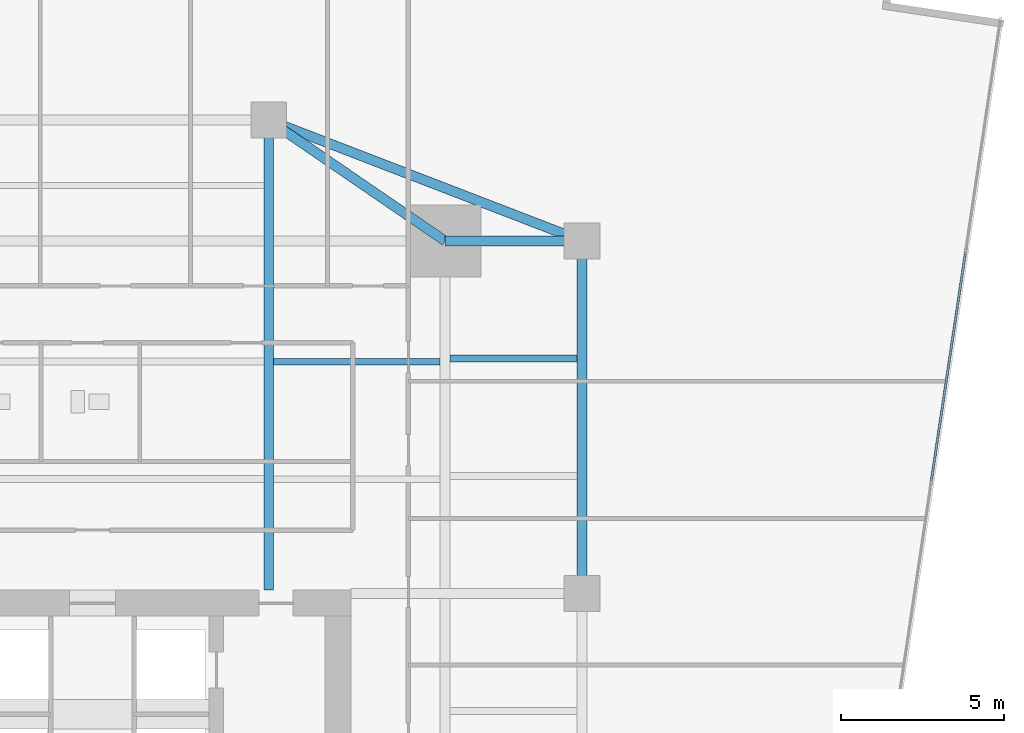
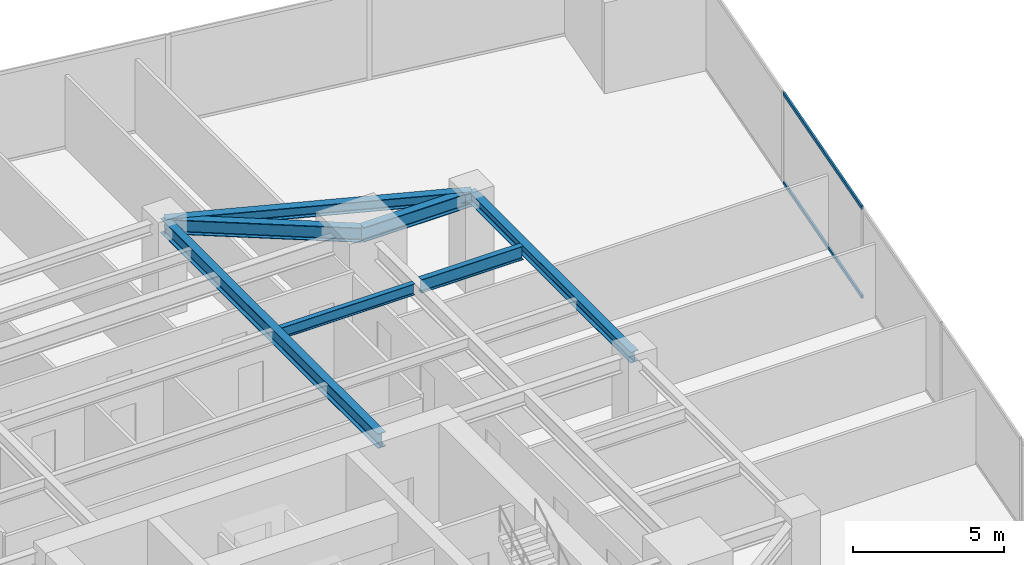
# One storey, part 20 of 29: 7 beams, 2 members, 1 element without a shape of its own.
"""IFC4 building model written with IfcOpenShell, lengths in metres."""

from ifc_helpers import new_model, si_unit, direction, frame, origin, origin_2d, place, context, subcontext, project, spatial, hollow_rectangle, i_section, extrude, source, transform, mapped, material, material_profile, profile_set, type_object, type_shapes, element, aggregate, save


model = new_model("IFC4")

# Units and contexts
model_context = context("Model", 3, precision=1e-05, world=origin(), true_north=direction((0.0, 1.0)))
body_context = subcontext(model_context, "Body", "Model", "MODEL_VIEW")
ifc_project = project(units=[si_unit("LENGTHUNIT", "METRE"), si_unit("AREAUNIT", "SQUARE_METRE"), si_unit("VOLUMEUNIT", "CUBIC_METRE"), si_unit("PLANEANGLEUNIT", "RADIAN"), si_unit("MASSUNIT", "GRAM", prefix="KILO")], contexts=[model_context])

# Site, building, storey
site_placement = place(None, origin())
site = spatial("IfcSite", under=ifc_project, at=site_placement, CompositionType="ELEMENT")
building_placement = place(site_placement, origin())
building = spatial("IfcBuilding", under=site, at=building_placement, Name="Krantzveldt Concourse Tower", CompositionType="ELEMENT")
storey_placement = place(building_placement, frame((0.0, 0.0, 72.39990234375)))
storey = spatial("IfcBuildingStorey", under=building, at=storey_placement, Name="L17", CompositionType="ELEMENT", Elevation=72.39990234375)

# Beams
ifc_material_1 = material(Name="Steel S355JR", Category="steel")
ifc_material_profile_1 = material_profile(ifc_material_1, i_section(OverallWidth=0.300048828125, OverallDepth=0.590087890625, WebThickness=0.012939453125, FlangeThickness=0.02490234375, FilletRadius=0.027099609375, at=origin_2d()), Name="Steel S355JR", Category="steel")
ifc_profile_set_1 = profile_set([ifc_material_profile_1], Name="Steel S355JR - HEA 600")
beam_type_1 = type_object("IfcBeamType", Name="BM-B-HEA600", PredefinedType="BEAM", material=ifc_profile_set_1)
shared_shape_1 = source(origin(), body_context, "Body", "SweptSolid", [
    extrude(i_section(OverallWidth=0.300048828125, OverallDepth=0.590087890625, WebThickness=0.012939453125, FlangeThickness=0.02490234375, FilletRadius=0.027099609375, at=origin_2d()), origin(), (0.0, 0.0, 1.0), 14.39990234375),
])
beam_1_placement = place(storey_placement, frame((41.39990234375, 26.800048828125, 3.375), z_axis=(0.0, 1.0, 0.0), x_axis=(-1.0, 0.0, 0.0)))
element("IfcBeam", 1, at=beam_1_placement, inside=storey, type_object=beam_type_1, Name="L17 Tower Girder BG-CNE", PredefinedType="BEAM", context=body_context, shape_type="MappedRepresentation", body=[
    mapped(shared_shape_1, transform((0.0, 0.0, 0.0), x_axis=(1.0, 0.0, 0.0), y_axis=(0.0, 1.0, 0.0), z_axis=(0.0, 0.0, 1.0), scale=1.0)),
])
ifc_material_profile_2 = material_profile(ifc_material_1, i_section(OverallWidth=0.300048828125, OverallDepth=0.43994140625, WebThickness=0.011474609375, FlangeThickness=0.02099609375, FilletRadius=0.027099609375, at=origin_2d()), Name="Steel S355JR", Category="steel")
ifc_profile_set_2 = profile_set([ifc_material_profile_2], Name="Steel S355JR - HEA 450")
beam_type_2 = type_object("IfcBeamType", Name="BM-SP-HEA450", PredefinedType="SPANDREL", material=ifc_profile_set_2)
shared_shape_2 = source(origin(), body_context, "Body", "SweptSolid", [
    extrude(i_section(OverallWidth=0.300048828125, OverallDepth=0.43994140625, WebThickness=0.011474609375, FlangeThickness=0.02099609375, FilletRadius=0.027099609375, at=origin_2d()), origin(), (0.0, 0.0, 1.0), 10.800048828125),
])
beam_2_placement = place(storey_placement, frame((51.0, 37.5, 3.4501953125), z_axis=(0.0, -1.0, 0.0), x_axis=(1.0, 0.0, 0.0)))
element("IfcBeam", 2, at=beam_2_placement, inside=storey, type_object=beam_type_2, Name="L17 Tower Girder SP-R06", PredefinedType="SPANDREL", context=body_context, shape_type="MappedRepresentation", body=[
    mapped(shared_shape_2, transform((0.0, 0.0, 0.0), x_axis=(1.0, 0.0, 0.0), y_axis=(0.0, 1.0, 0.0), z_axis=(0.0, 0.0, 1.0), scale=1.0)),
])
shared_shape_3 = source(origin(), body_context, "Body", "SweptSolid", [
    extrude(i_section(OverallWidth=0.300048828125, OverallDepth=0.43994140625, WebThickness=0.011474609375, FlangeThickness=0.02099609375, FilletRadius=0.027099609375, at=origin_2d()), origin(), (0.0, 0.0, 1.0), 10.288330078125),
])
type_shapes(beam_type_2, [shared_shape_2, shared_shape_3])
beam_3_placement = place(storey_placement, frame((41.39990234375, 41.199951171875, 3.4501953125), z_axis=(0.933097690408, -0.359622997257, 0.0), x_axis=(0.359622997257, 0.933097690408, 0.0)))
element("IfcBeam", 3, at=beam_3_placement, inside=storey, type_object=beam_type_2, Name="L17 Tower Girder SP-R05", PredefinedType="SPANDREL", context=body_context, shape_type="MappedRepresentation", body=[
    mapped(shared_shape_3, transform((0.0, 0.0, 0.0), x_axis=(1.0, 0.0, 0.0), y_axis=(0.0, 1.0, 0.0), z_axis=(0.0, 0.0, 1.0), scale=1.0)),
])
shared_shape_4 = source(origin(), body_context, "Body", "SweptSolid", [
    extrude(i_section(OverallWidth=0.300048828125, OverallDepth=0.590087890625, WebThickness=0.012939453125, FlangeThickness=0.02490234375, FilletRadius=0.027099609375, at=origin_2d()), origin(), (0.0, 0.0, 1.0), 4.199951171875),
])
beam_4_placement = place(storey_placement, frame((46.800048828125, 37.5, 3.375), z_axis=(1.0, 0.0, 0.0), x_axis=(0.0, 1.0, 0.0)))
element("IfcBeam", 4, at=beam_4_placement, inside=storey, type_object=beam_type_1, Name="L17 Tower Girder BR-RR3", PredefinedType="BEAM", context=body_context, shape_type="MappedRepresentation", body=[
    mapped(shared_shape_4, transform((0.0, 0.0, 0.0), x_axis=(1.0, 0.0, 0.0), y_axis=(0.0, 1.0, 0.0), z_axis=(0.0, 0.0, 1.0), scale=1.0)),
])
shared_shape_5 = source(origin(), body_context, "Body", "SweptSolid", [
    extrude(i_section(OverallWidth=0.300048828125, OverallDepth=0.590087890625, WebThickness=0.012939453125, FlangeThickness=0.02490234375, FilletRadius=0.027099609375, at=origin_2d()), origin(), (0.0, 0.0, 1.0), 6.546142578125),
])
type_shapes(beam_type_1, [shared_shape_1, shared_shape_4, shared_shape_5])
beam_5_placement = place(storey_placement, frame((46.800048828125, 37.5, 3.375), z_axis=(-0.824942999484, 0.565215930068, 0.0), x_axis=(-0.565215930068, -0.824942999484, 0.0)))
element("IfcBeam", 5, at=beam_5_placement, inside=storey, type_object=beam_type_1, Name="L17 Tower Girder BR-RR4", PredefinedType="BEAM", context=body_context, shape_type="MappedRepresentation", body=[
    mapped(shared_shape_5, transform((0.0, 0.0, 0.0), x_axis=(1.0, 0.0, 0.0), y_axis=(0.0, 1.0, 0.0), z_axis=(0.0, 0.0, 1.0), scale=1.0)),
])
ifc_material_profile_3 = material_profile(ifc_material_1, i_section(OverallWidth=0.18994140625, OverallDepth=0.449951171875, WebThickness=0.009521484375, FlangeThickness=0.0146484375, FilletRadius=0.02099609375, at=origin_2d()), Name="Steel S355JR", Category="steel")
ifc_profile_set_3 = profile_set([ifc_material_profile_3], Name="Steel S355JR - IPE 450")
beam_type_3 = type_object("IfcBeamType", Name="BM-J-IPE450", PredefinedType="JOIST", material=ifc_profile_set_3)
shared_shape_6 = source(origin(), body_context, "Body", "SweptSolid", [
    extrude(i_section(OverallWidth=0.18994140625, OverallDepth=0.449951171875, WebThickness=0.009521484375, FlangeThickness=0.0146484375, FilletRadius=0.02099609375, at=origin_2d()), origin(), (0.0, 0.0, 1.0), 5.099853515625),
])
type_shapes(beam_type_3, [shared_shape_6])
beam_6_placement = place(storey_placement, frame((41.550048828125, 33.800048828125, 3.445068359375), z_axis=(1.0, 0.0, 0.0), x_axis=(0.0, 1.0, 0.0)))
element("IfcBeam", 6, at=beam_6_placement, inside=storey, type_object=beam_type_3, Name="L17 Secondary Floor Joist JN-E2", PredefinedType="JOIST", context=body_context, shape_type="MappedRepresentation", body=[
    mapped(shared_shape_6, transform((0.0, 0.0, 0.0), x_axis=(1.0, 0.0, 0.0), y_axis=(0.0, 1.0, 0.0), z_axis=(0.0, 0.0, 1.0), scale=1.0)),
])
ifc_material_profile_4 = material_profile(ifc_material_1, i_section(OverallWidth=0.2099609375, OverallDepth=0.550048828125, WebThickness=0.010986328125, FlangeThickness=0.01708984375, FilletRadius=0.02392578125, at=origin_2d()), Name="Steel S355JR", Category="steel")
ifc_profile_set_4 = profile_set([ifc_material_profile_4], Name="Steel S355JR - IPE 550")
beam_type_4 = type_object("IfcBeamType", Name="BM-J-IPE550", PredefinedType="JOIST", material=ifc_profile_set_4)
shared_shape_7 = source(origin(), body_context, "Body", "SweptSolid", [
    extrude(i_section(OverallWidth=0.2099609375, OverallDepth=0.550048828125, WebThickness=0.010986328125, FlangeThickness=0.01708984375, FilletRadius=0.02392578125, at=origin_2d()), origin(), (0.0, 0.0, 1.0), 3.900146484375),
])
type_shapes(beam_type_4, [shared_shape_7])
beam_7_placement = place(storey_placement, frame((46.949951171875, 33.89990234375, 3.39501953125), z_axis=(1.0, 0.0, 0.0), x_axis=(0.0, 1.0, 0.0)))
element("IfcBeam", 7, at=beam_7_placement, inside=storey, type_object=beam_type_4, Name="L17 Secondary Floor Joist JE-4", PredefinedType="JOIST", context=body_context, shape_type="MappedRepresentation", body=[
    mapped(shared_shape_7, transform((0.0, 0.0, 0.0), x_axis=(1.0, 0.0, 0.0), y_axis=(0.0, 1.0, 0.0), z_axis=(0.0, 0.0, 1.0), scale=1.0)),
])

# Curtain wall, members
ifc_material_2 = material(Name="Anodised aluminium 6063-T6", Category="aluminium")
curtain_wall_type = type_object("IfcCurtainWallType", Name="CW2", PredefinedType="USERDEFINED", material=ifc_material_2)
curtain_wall_placement = place(storey_placement, origin())
curtain_wall = element("IfcCurtainWall", 8, at=curtain_wall_placement, inside=storey, type_object=curtain_wall_type, Name="CW-L17-F07", ObjectType="UNITISED CURTAIN WALL", PredefinedType="USERDEFINED")
ifc_material_profile_5 = material_profile(ifc_material_2, hollow_rectangle(XDim=0.070068359375, YDim=0.139892578125, WallThickness=0.0048828125, at=origin_2d()), Name="Anodised aluminium 6063-T6", Category="aluminium")
ifc_profile_set_5 = profile_set([ifc_material_profile_5], Name="Anodised aluminium 6063-T6 - ALU-TRAN 140x70x5")
member_type = type_object("IfcMemberType", Name="CW-TRN-150", PredefinedType="USERDEFINED", material=ifc_profile_set_5)
shared_shape_8 = source(origin(), body_context, "Body", "SweptSolid", [
    extrude(hollow_rectangle(XDim=0.070068359375, YDim=0.139892578125, WallThickness=0.0048828125, at=origin_2d()), origin(), (0.0, 0.0, 1.0), 7.0966796875),
])
type_shapes(member_type, [shared_shape_8])
member_1_placement = place(storey_placement, frame((61.700927734375, 30.140625, 0.03515625), z_axis=(0.14779033687, 0.989018713841, 0.0), x_axis=(-0.989018713841, 0.14779033687, 0.0)))
member_1 = element("IfcMember", 9, at=member_1_placement, type_object=member_type, Name="CW-Z12 transom 5.1", ObjectType="TRANSOM", PredefinedType="USERDEFINED", context=body_context, shape_type="MappedRepresentation", body=[
    mapped(shared_shape_8, transform((0.0, 0.0, 0.0), x_axis=(1.0, 0.0, 0.0), y_axis=(0.0, 1.0, 0.0), z_axis=(0.0, 0.0, 1.0), scale=1.0)),
])
member_2_placement = place(storey_placement, frame((61.700927734375, 30.140625, 3.635009765625), z_axis=(0.14779033687, 0.989018713841, 0.0), x_axis=(-0.989018713841, 0.14779033687, 0.0)))
member_2 = element("IfcMember", 10, at=member_2_placement, type_object=member_type, Name="CW-Z12 transom 5.2", ObjectType="TRANSOM", PredefinedType="USERDEFINED", context=body_context, shape_type="MappedRepresentation", body=[
    mapped(shared_shape_8, transform((0.0, 0.0, 0.0), x_axis=(1.0, 0.0, 0.0), y_axis=(0.0, 1.0, 0.0), z_axis=(0.0, 0.0, 1.0), scale=1.0)),
])
aggregate(curtain_wall, [member_1, member_2])

save(model, "model.ifc")
